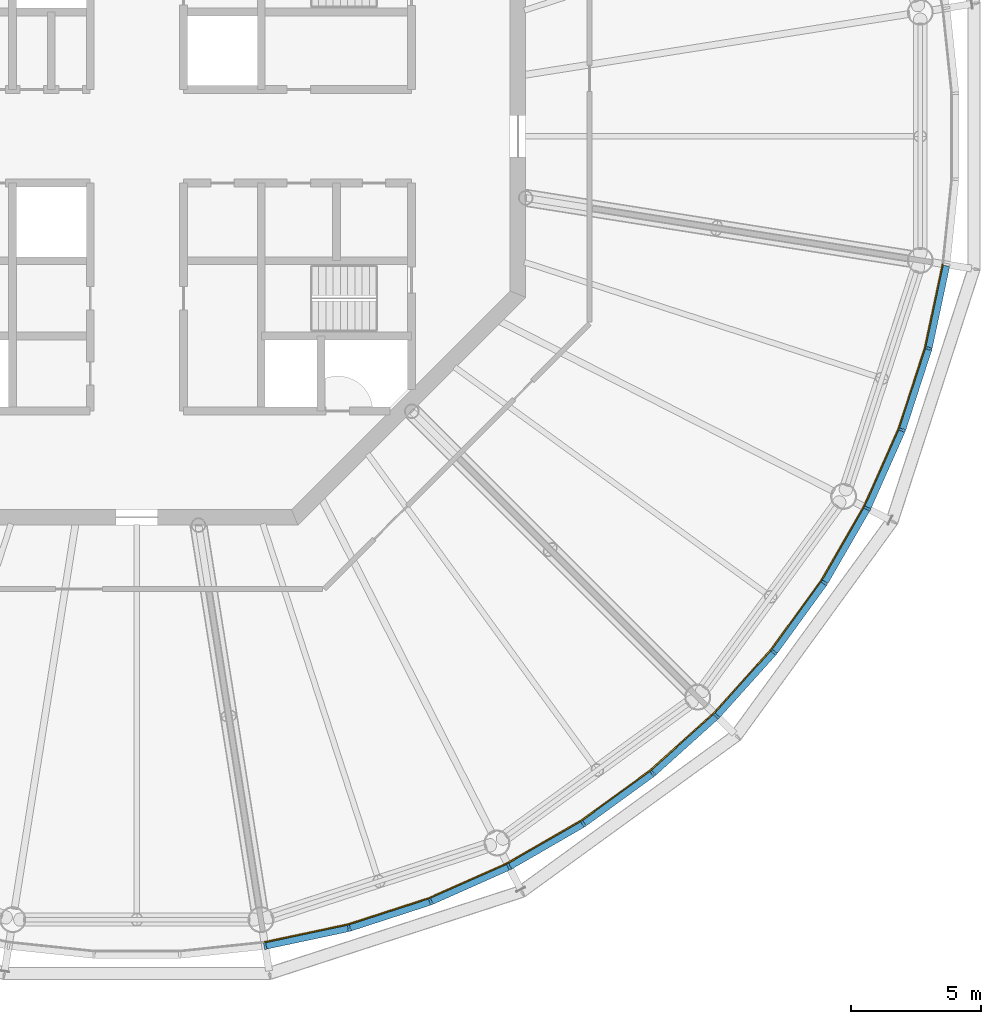
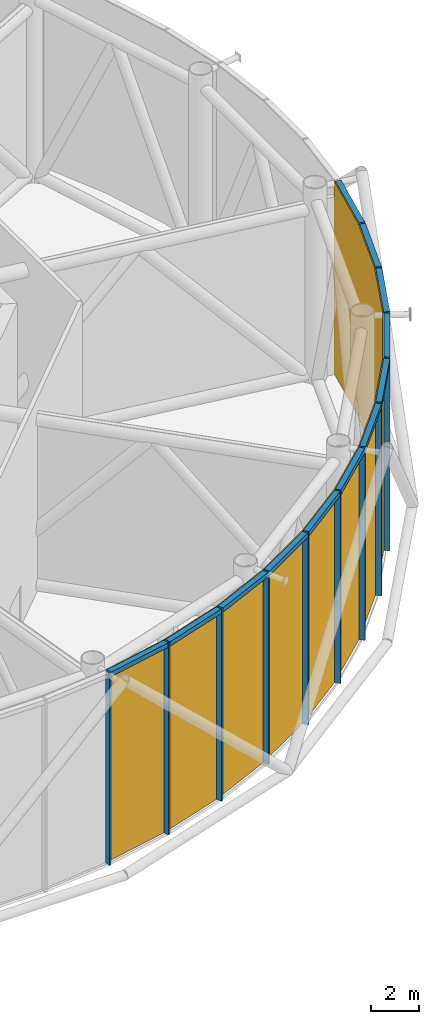
# One storey, part 19 of 23: 24 members, 4 curtain walls.
"""IFC4 building model written with IfcOpenShell, lengths in metres."""

import ifcopenshell
import ifcopenshell.guid

model = None  # the IFC model being written
_history = None  # IfcOwnerHistory: only IFC2X3 demands one
_inside = {}  # id of a spatial element -> (the spatial element, [elements in it])
_under = {}  # id of a project, library or spatial element -> (it, [spatial elements below it])
_declared = {}  # id of a project -> (the project, [libraries it declares])
_typed = {}  # id of a type object -> (the type object, [elements of that type])
_made_of = {}  # id of a material, layer set ... -> (it, [elements and type objects made of it])


def new_model(schema):
    """Start an empty IFC model of exactly this schema.

    Asked for "IFC4X3", IfcOpenShell would pick the latest addendum, in which some entities
    have other attributes; the version numbers below select the first issue.
    IFC2X3 requires an IfcOwnerHistory on every rooted entity: one is made here for all.
    """
    global model, _history
    if schema == "IFC4X3":
        model = ifcopenshell.file(schema_version=(4, 3, 0, 0))
    else:
        model = ifcopenshell.file(schema=schema)
    _inside.clear()
    _under.clear()
    _declared.clear()
    _typed.clear()
    _made_of.clear()
    _history = None
    if model.schema == "IFC2X3":
        org = make("IfcOrganization", Name="unknown")
        user = make(
            "IfcPersonAndOrganization",
            ThePerson=make("IfcPerson", FamilyName="unknown"),
            TheOrganization=org,
        )
        app = make(
            "IfcApplication",
            ApplicationDeveloper=org,
            Version="unknown",
            ApplicationFullName="unknown",
            ApplicationIdentifier="unknown",
        )
        _history = make(
            "IfcOwnerHistory",
            OwningUser=user,
            OwningApplication=app,
            ChangeAction="ADDED",
            CreationDate=0,
        )
    return model


def make(cls, **values):
    """One entity of the class cls with the attributes given. An attribute that is None is left unset."""
    return model.create_entity(
        cls, **{name: value for name, value in values.items() if value is not None}
    )


def rooted(cls, **values):
    """An entity with a GlobalId (a new one), such as an element, a storey or a relation."""
    return make(cls, GlobalId=ifcopenshell.guid.new(), OwnerHistory=_history, **values)


def si_unit(unit_type, name, prefix=None):
    """IfcSIUnit, for example si_unit("LENGTHUNIT", "METRE", prefix="MILLI")."""
    return make("IfcSIUnit", UnitType=unit_type, Prefix=prefix, Name=name)


def assignment(units):
    """IfcUnitAssignment: the units of a project."""
    return None if units is None else make("IfcUnitAssignment", Units=units)


def point(xyz):
    """IfcCartesianPoint."""
    return None if xyz is None else make("IfcCartesianPoint", Coordinates=xyz)


def direction(xyz):
    """IfcDirection."""
    return None if xyz is None else make("IfcDirection", DirectionRatios=xyz)


def frame(location, z_axis=None, x_axis=None):
    """IfcAxis2Placement3D, a coordinate frame: its origin and axes. An axis left out is left unset."""
    return make(
        "IfcAxis2Placement3D",
        Location=point(location),
        Axis=direction(z_axis),
        RefDirection=direction(x_axis),
    )


def frame_2d(location, x_axis=None):
    """IfcAxis2Placement2D, a coordinate frame in the plane: its origin and x axis."""
    return make(
        "IfcAxis2Placement2D", Location=point(location), RefDirection=direction(x_axis)
    )


def origin():
    """The frame at (0, 0, 0) with its axes left unset."""
    return frame((0.0, 0.0, 0.0))


def origin_2d():
    """The frame at (0, 0) in the plane with its x axis left unset."""
    return frame_2d((0.0, 0.0))


def place(relative_to, where):
    """IfcLocalPlacement: puts the frame where relative to a parent placement (None: the world)."""
    return make(
        "IfcLocalPlacement", PlacementRelTo=relative_to, RelativePlacement=where
    )


def context(
    kind, dimensions, precision=None, world=None, true_north=None, identifier=None
):
    """IfcGeometricRepresentationContext, for example the 3D "Model" context."""
    return make(
        "IfcGeometricRepresentationContext",
        ContextIdentifier=identifier,
        ContextType=kind,
        CoordinateSpaceDimension=dimensions,
        Precision=precision,
        WorldCoordinateSystem=world,
        TrueNorth=true_north,
    )


def subcontext(parent, identifier, kind, view, scale=None):
    """IfcGeometricRepresentationSubContext, for example "Body" below "Model"."""
    return make(
        "IfcGeometricRepresentationSubContext",
        ContextIdentifier=identifier,
        ContextType=kind,
        ParentContext=parent,
        TargetScale=scale,
        TargetView=view,
    )


def project(units=None, contexts=None):
    """IfcProject with its units and contexts."""
    return rooted(
        "IfcProject",
        Name="project",
        RepresentationContexts=contexts,
        UnitsInContext=assignment(units),
    )


def spatial(cls, under=None, at=None, **own):
    """A site, building, storey or space (cls), placed at a placement, below another one or the project."""
    s = rooted(cls, ObjectPlacement=at, **own)
    if under is not None:
        _under.setdefault(under.id(), (under, []))[1].append(s)
    return s


def polyline(points):
    """IfcPolyline through the points."""
    return make("IfcPolyline", Points=[point(p) for p in points])


def profile(cls, at=None, kind="AREA", **sizes):
    """A parametric profile (cls). Its sizes go by their IFC names, for example OverallWidth=200.0."""
    return make(cls, ProfileType=kind, Position=at, **sizes)


def rectangle(**sizes):
    """IfcRectangleProfileDef."""
    return profile("IfcRectangleProfileDef", **sizes)


def outline(outer, holes=None, kind="AREA"):
    """IfcArbitraryClosedProfileDef: a profile drawn as a closed curve; with holes, ...WithVoids."""
    if holes is None:
        return make("IfcArbitraryClosedProfileDef", ProfileType=kind, OuterCurve=outer)
    return make(
        "IfcArbitraryProfileDefWithVoids",
        ProfileType=kind,
        OuterCurve=outer,
        InnerCurves=holes,
    )


def extrude(swept, where, along, depth):
    """IfcExtrudedAreaSolid: the profile swept, set in the frame where, extruded along a direction by depth."""
    return make(
        "IfcExtrudedAreaSolid",
        SweptArea=swept,
        Position=where,
        ExtrudedDirection=direction(along),
        Depth=depth,
    )


def shape(context_of_items, identifier, shape_type, items):
    """IfcShapeRepresentation: the items that make up one representation, for example the "Body"."""
    return make(
        "IfcShapeRepresentation",
        ContextOfItems=context_of_items,
        RepresentationIdentifier=identifier,
        RepresentationType=shape_type,
        Items=items,
    )


def material(Name=None, Category=None):
    """IfcMaterial."""
    return make("IfcMaterial", Name=Name, Category=Category)


def layer(
    of_material, thickness, ventilated=None, Name=None, Category=None, Priority=None
):
    """IfcMaterialLayer: one layer of a wall or slab, of a material (None: an air gap)."""
    return make(
        "IfcMaterialLayer",
        Material=of_material,
        LayerThickness=thickness,
        IsVentilated=ventilated,
        Name=Name,
        Category=Category,
        Priority=Priority,
    )


def layer_set(layers, Name=None):
    """IfcMaterialLayerSet."""
    return make("IfcMaterialLayerSet", MaterialLayers=layers, LayerSetName=Name)


def material_profile(
    of_material, cross_section, Name=None, Category=None, Priority=None
):
    """IfcMaterialProfile: a cross section and its material."""
    return make(
        "IfcMaterialProfile",
        Name=Name,
        Material=of_material,
        Profile=cross_section,
        Priority=Priority,
        Category=Category,
    )


def profile_set(profiles, Name=None, composite=None):
    """IfcMaterialProfileSet."""
    return make(
        "IfcMaterialProfileSet",
        Name=Name,
        MaterialProfiles=profiles,
        CompositeProfile=composite,
    )


def made_of(thing, what):
    """Note that an element or type object is made of a material, layer set ...; save() writes the relation."""
    if what is not None:
        _made_of.setdefault(what.id(), (what, []))[1].append(thing)
    return thing


def type_object(cls, material=None, **own):
    """A type object (cls), such as IfcWallType, which elements share."""
    return made_of(rooted(cls, **own), material)


def element(
    cls,
    number,
    at=None,
    inside=None,
    cuts=None,
    type_object=None,
    material=None,
    context=None,
    identifier="Body",
    shape_type=None,
    held_by="IfcProductDefinitionShape",
    body=None,
    shapes=None,
    **own,
):
    """One element of the class cls, such as IfcWall. Its Tag is "e" and its number.

    at: its placement. inside: the storey or other place that contains it. cuts: it is an
    opening in that element (IfcRelVoidsElement). A single representation is given by context,
    identifier, shape_type and body (its items); several are given by shapes. held_by: the class
    of the entity that holds the representations. save() writes the other relations.
    """
    e = rooted(cls, Tag="e%d" % number, ObjectPlacement=at, **own)
    if body is not None:
        shapes = [shape(context, identifier, shape_type, body)]
    if shapes is not None:
        e.Representation = make(held_by, Representations=shapes)
    if inside is not None:
        _inside.setdefault(inside.id(), (inside, []))[1].append(e)
    if cuts is not None:
        rooted(
            "IfcRelVoidsElement", RelatingBuildingElement=cuts, RelatedOpeningElement=e
        )
    if type_object is not None:
        _typed.setdefault(type_object.id(), (type_object, []))[1].append(e)
    return made_of(e, material)


def aggregate(whole, parts):
    """IfcRelAggregates: a whole, such as a stair, and the parts it consists of."""
    return rooted("IfcRelAggregates", RelatingObject=whole, RelatedObjects=parts)


def save(model, path):
    """Write the relations noted so far, then the file.

    IfcRelAggregates (storeys below a building ...), IfcRelContainedInSpatialStructure (elements
    in a storey), IfcRelDefinesByType, IfcRelAssociatesMaterial and IfcRelDeclares: one each for
    every whole, place, type object, material and project.
    """
    for whole, parts in _under.values():
        aggregate(whole, parts)
    for where, things in _inside.values():
        rooted(
            "IfcRelContainedInSpatialStructure",
            RelatedElements=things,
            RelatingStructure=where,
        )
    for kind, things in _typed.values():
        rooted("IfcRelDefinesByType", RelatedObjects=things, RelatingType=kind)
    for what, things in _made_of.values():
        rooted("IfcRelAssociatesMaterial", RelatedObjects=things, RelatingMaterial=what)
    for by, libraries in _declared.values():
        rooted("IfcRelDeclares", RelatingContext=by, RelatedDefinitions=libraries)
    model.write(path)


model = new_model("IFC4")

# Units and contexts
model_context = context("Model", 3, precision=1e-05, world=origin(), true_north=direction((0.0, 1.0)))
body_context = subcontext(model_context, "Body", "Model", "MODEL_VIEW")
ifc_project = project(units=[si_unit("LENGTHUNIT", "METRE"), si_unit("AREAUNIT", "SQUARE_METRE"), si_unit("VOLUMEUNIT", "CUBIC_METRE"), si_unit("PLANEANGLEUNIT", "RADIAN"), si_unit("MASSUNIT", "GRAM", prefix="KILO")], contexts=[model_context])

# Member
ifc_material_1 = material(Name="Anodised aluminium", Category="aluminium")
ifc_material_profile_1 = material_profile(ifc_material_1, rectangle(XDim=0.0849609375, YDim=0.260009765625, at=origin_2d()), Name="Mullion 85 x 260 mm anodised aluminium")
ifc_profile_set_1 = profile_set([ifc_material_profile_1], Name="Anodised aluminium")
member_type_1 = type_object("IfcMemberType", Name="Mullion 85 x 260 mm anodised aluminium", PredefinedType="MULLION", material=ifc_profile_set_1)
site_placement = place(None, origin())
building_placement = place(site_placement, origin())
storey_placement = place(building_placement, frame((0.0, 0.0, 392.0)))
member_1_placement = place(storey_placement, frame((94.947998046875, 48.759521484375, 0.0), z_axis=(0.0, 0.0, 1.0), x_axis=(0.987688340595, 0.15643446504, 0.0)))
member_1 = element("IfcMember", 1, at=member_1_placement, type_object=member_type_1, Name="MULLION L91-45", PredefinedType="MULLION", context=body_context, shape_type="SweptSolid", body=[
    extrude(rectangle(XDim=0.0849609375, YDim=0.260009765625, at=origin_2d()), origin(), (0.0, 0.0, 1.0), 9.85009765625),
])

member_2_placement = place(storey_placement, frame((98.1865234375, 49.44775390625, 0.0), z_axis=(0.0, 0.0, 1.0), x_axis=(0.965925826289, 0.258819045103, 0.0)))
member_2 = element("IfcMember", 2, at=member_2_placement, type_object=member_type_1, Name="MULLION L91-46", PredefinedType="MULLION", context=body_context, shape_type="SweptSolid", body=[
    extrude(rectangle(XDim=0.0849609375, YDim=0.260009765625, at=origin_2d()), origin(), (0.0, 0.0, 1.0), 9.85009765625),
])

member_3_placement = place(storey_placement, frame((101.335205078125, 50.470947265625, 0.0), z_axis=(0.0, 0.0, 1.0), x_axis=(0.933580426497, 0.358367949545, 0.0)))
member_3 = element("IfcMember", 3, at=member_3_placement, type_object=member_type_1, Name="MULLION L91-47", PredefinedType="MULLION", context=body_context, shape_type="SweptSolid", body=[
    extrude(rectangle(XDim=0.0849609375, YDim=0.260009765625, at=origin_2d()), origin(), (0.0, 0.0, 1.0), 9.85009765625),
])

member_4_placement = place(storey_placement, frame((104.359619140625, 51.8173828125, 0.0), z_axis=(0.0, 0.0, 1.0), x_axis=(0.891006524188, 0.45399049974, 0.0)))
member_4 = element("IfcMember", 4, at=member_4_placement, type_object=member_type_1, Name="MULLION L91-48", PredefinedType="MULLION", context=body_context, shape_type="SweptSolid", body=[
    extrude(rectangle(XDim=0.0849609375, YDim=0.260009765625, at=origin_2d()), origin(), (0.0, 0.0, 1.0), 9.85009765625),
])

member_5_placement = place(storey_placement, frame((107.22705078125, 53.472900390625, 0.0), z_axis=(0.0, 0.0, 1.0), x_axis=(0.838670567945, 0.544639035015, 0.0)))
member_5 = element("IfcMember", 5, at=member_5_placement, type_object=member_type_1, Name="MULLION L91-49", PredefinedType="MULLION", context=body_context, shape_type="SweptSolid", body=[
    extrude(rectangle(XDim=0.0849609375, YDim=0.260009765625, at=origin_2d()), origin(), (0.0, 0.0, 1.0), 9.85009765625),
])

member_6_placement = place(storey_placement, frame((109.905517578125, 55.4189453125, 0.0), z_axis=(0.0, 0.0, 1.0), x_axis=(0.777145961457, 0.62932039105, 0.0)))
member_6 = element("IfcMember", 6, at=member_6_placement, type_object=member_type_1, Name="MULLION L91-50", PredefinedType="MULLION", context=body_context, shape_type="SweptSolid", body=[
    extrude(rectangle(XDim=0.0849609375, YDim=0.260009765625, at=origin_2d()), origin(), (0.0, 0.0, 1.0), 9.85009765625),
])

member_7_placement = place(storey_placement, frame((112.36572265625, 57.63427734375, 0.0), z_axis=(0.0, 0.0, 1.0), x_axis=(0.707106781187, 0.707106781187, 0.0)))
member_7 = element("IfcMember", 7, at=member_7_placement, type_object=member_type_1, Name="MULLION L91-51", PredefinedType="MULLION", context=body_context, shape_type="SweptSolid", body=[
    extrude(rectangle(XDim=0.0849609375, YDim=0.260009765625, at=origin_2d()), origin(), (0.0, 0.0, 1.0), 9.85009765625),
])

member_8_placement = place(storey_placement, frame((114.5810546875, 60.094482421875, 0.0), z_axis=(0.0, 0.0, 1.0), x_axis=(0.62932039105, 0.777145961457, 0.0)))
member_8 = element("IfcMember", 8, at=member_8_placement, type_object=member_type_1, Name="MULLION L91-52", PredefinedType="MULLION", context=body_context, shape_type="SweptSolid", body=[
    extrude(rectangle(XDim=0.0849609375, YDim=0.260009765625, at=origin_2d()), origin(), (0.0, 0.0, 1.0), 9.85009765625),
])

member_9_placement = place(storey_placement, frame((116.527099609375, 62.77294921875, 0.0), z_axis=(0.0, 0.0, 1.0), x_axis=(0.544639035015, 0.838670567945, 0.0)))
member_9 = element("IfcMember", 9, at=member_9_placement, type_object=member_type_1, Name="MULLION L91-53", PredefinedType="MULLION", context=body_context, shape_type="SweptSolid", body=[
    extrude(rectangle(XDim=0.0849609375, YDim=0.260009765625, at=origin_2d()), origin(), (0.0, 0.0, 1.0), 9.85009765625),
])

member_10_placement = place(storey_placement, frame((118.1826171875, 65.640380859375, 0.0), z_axis=(0.0, 0.0, 1.0), x_axis=(0.45399049974, 0.891006524188, 0.0)))
member_10 = element("IfcMember", 10, at=member_10_placement, type_object=member_type_1, Name="MULLION L91-54", PredefinedType="MULLION", context=body_context, shape_type="SweptSolid", body=[
    extrude(rectangle(XDim=0.0849609375, YDim=0.260009765625, at=origin_2d()), origin(), (0.0, 0.0, 1.0), 9.85009765625),
])

member_11_placement = place(storey_placement, frame((119.529052734375, 68.664794921875, 0.0), z_axis=(0.0, 0.0, 1.0), x_axis=(0.358367949545, 0.933580426497, 0.0)))
member_11 = element("IfcMember", 11, at=member_11_placement, type_object=member_type_1, Name="MULLION L91-55", PredefinedType="MULLION", context=body_context, shape_type="SweptSolid", body=[
    extrude(rectangle(XDim=0.0849609375, YDim=0.260009765625, at=origin_2d()), origin(), (0.0, 0.0, 1.0), 9.85009765625),
])

member_12_placement = place(storey_placement, frame((120.55224609375, 71.8134765625, 0.0), z_axis=(0.0, 0.0, 1.0), x_axis=(0.258819045103, 0.965925826289, 0.0)))
member_12 = element("IfcMember", 12, at=member_12_placement, type_object=member_type_1, Name="MULLION L91-56", PredefinedType="MULLION", context=body_context, shape_type="SweptSolid", body=[
    extrude(rectangle(XDim=0.0849609375, YDim=0.260009765625, at=origin_2d()), origin(), (0.0, 0.0, 1.0), 9.85009765625),
])

ifc_material_2 = material(Name="Anodised aluminium", Category="aluminium")
ifc_material_profile_2 = material_profile(ifc_material_2, rectangle(XDim=0.260009765625, YDim=0.22998046875, at=origin_2d()), Name="Transom 230 x 260 mm anodised aluminium")
ifc_profile_set_2 = profile_set([ifc_material_profile_2], Name="Anodised aluminium")
member_type_2 = type_object("IfcMemberType", Name="Transom 230 x 260 mm anodised aluminium", PredefinedType="USERDEFINED", material=ifc_profile_set_2)
member_13_placement = place(storey_placement, frame((94.996337890625, 48.76953125, 9.735107421875), z_axis=(0.978153634896, 0.207883300291, 0.0), x_axis=(-0.207883300291, 0.978153634896, 0.0)))
member_13 = element("IfcMember", 13, at=member_13_placement, type_object=member_type_2, Name="TRANSOM L91-45", ObjectType="TRANSOM", PredefinedType="USERDEFINED", context=body_context, shape_type="SweptSolid", body=[
    extrude(rectangle(XDim=0.260009765625, YDim=0.22998046875, at=origin_2d()), origin(), (0.0, 0.0, 1.0), 3.2119140625),
])

member_14_placement = place(storey_placement, frame((98.2333984375, 49.462890625, 9.735107421875), z_axis=(0.951050265207, 0.309036232585, 0.0), x_axis=(-0.309036232585, 0.951050265207, 0.0)))
member_14 = element("IfcMember", 14, at=member_14_placement, type_object=member_type_2, Name="TRANSOM L91-46", ObjectType="TRANSOM", PredefinedType="USERDEFINED", context=body_context, shape_type="SweptSolid", body=[
    extrude(rectangle(XDim=0.260009765625, YDim=0.22998046875, at=origin_2d()), origin(), (0.0, 0.0, 1.0), 3.212158203125),
])

member_15_placement = place(storey_placement, frame((101.38037109375, 50.49072265625, 9.735107421875), z_axis=(0.913522963478, 0.406787162038, 0.0), x_axis=(-0.406787162038, 0.913522963478, 0.0)))
member_15 = element("IfcMember", 15, at=member_15_placement, type_object=member_type_2, Name="TRANSOM L91-47", ObjectType="TRANSOM", PredefinedType="USERDEFINED", context=body_context, shape_type="SweptSolid", body=[
    extrude(rectangle(XDim=0.260009765625, YDim=0.22998046875, at=origin_2d()), origin(), (0.0, 0.0, 1.0), 3.212158203125),
])

member_16_placement = place(storey_placement, frame((104.402587890625, 51.842041015625, 9.735107421875), z_axis=(0.866036230703, 0.499981246758, 0.0), x_axis=(-0.499981246758, 0.866036230703, 0.0)))
member_16 = element("IfcMember", 16, at=member_16_placement, type_object=member_type_2, Name="TRANSOM L91-48", ObjectType="TRANSOM", PredefinedType="USERDEFINED", context=body_context, shape_type="SweptSolid", body=[
    extrude(rectangle(XDim=0.260009765625, YDim=0.22998046875, at=origin_2d()), origin(), (0.0, 0.0, 1.0), 3.2119140625),
])

member_17_placement = place(storey_placement, frame((107.266845703125, 53.501708984375, 9.735107421875), z_axis=(0.809054768394, 0.587733257303, 0.0), x_axis=(-0.587733257303, 0.809054768394, 0.0)))
member_17 = element("IfcMember", 17, at=member_17_placement, type_object=member_type_2, Name="TRANSOM L91-49", ObjectType="TRANSOM", PredefinedType="USERDEFINED", context=body_context, shape_type="SweptSolid", body=[
    extrude(rectangle(XDim=0.260009765625, YDim=0.22998046875, at=origin_2d()), origin(), (0.0, 0.0, 1.0), 3.212158203125),
])

member_18_placement = place(storey_placement, frame((109.942138671875, 55.45166015625, 9.735107421875), z_axis=(0.743150522558, 0.669124279055, 0.0), x_axis=(-0.669124279055, 0.743150522558, 0.0)))
member_18 = element("IfcMember", 18, at=member_18_placement, type_object=member_type_2, Name="TRANSOM L91-50", ObjectType="TRANSOM", PredefinedType="USERDEFINED", context=body_context, shape_type="SweptSolid", body=[
    extrude(rectangle(XDim=0.260009765625, YDim=0.22998046875, at=origin_2d()), origin(), (0.0, 0.0, 1.0), 3.212158203125),
])

member_19_placement = place(storey_placement, frame((112.39892578125, 57.670654296875, 9.735107421875), z_axis=(0.669124279055, 0.743150522558, 0.0), x_axis=(-0.743150522558, 0.669124279055, 0.0)))
member_19 = element("IfcMember", 19, at=member_19_placement, type_object=member_type_2, Name="TRANSOM L91-51", ObjectType="TRANSOM", PredefinedType="USERDEFINED", context=body_context, shape_type="SweptSolid", body=[
    extrude(rectangle(XDim=0.260009765625, YDim=0.22998046875, at=origin_2d()), origin(), (0.0, 0.0, 1.0), 3.212158203125),
])

member_20_placement = place(storey_placement, frame((114.6103515625, 60.13427734375, 9.735107421875), z_axis=(0.587733257303, 0.809054768394, 0.0), x_axis=(-0.809054768394, 0.587733257303, 0.0)))
member_20 = element("IfcMember", 20, at=member_20_placement, type_object=member_type_2, Name="TRANSOM L91-52", ObjectType="TRANSOM", PredefinedType="USERDEFINED", context=body_context, shape_type="SweptSolid", body=[
    extrude(rectangle(XDim=0.260009765625, YDim=0.22998046875, at=origin_2d()), origin(), (0.0, 0.0, 1.0), 3.212158203125),
])

member_21_placement = place(storey_placement, frame((116.552001953125, 62.815673828125, 9.735107421875), z_axis=(0.499981246758, 0.866036230703, 0.0), x_axis=(-0.866036230703, 0.499981246758, 0.0)))
member_21 = element("IfcMember", 21, at=member_21_placement, type_object=member_type_2, Name="TRANSOM L91-53", ObjectType="TRANSOM", PredefinedType="USERDEFINED", context=body_context, shape_type="SweptSolid", body=[
    extrude(rectangle(XDim=0.260009765625, YDim=0.22998046875, at=origin_2d()), origin(), (0.0, 0.0, 1.0), 3.2119140625),
])

member_22_placement = place(storey_placement, frame((118.20263671875, 65.685302734375, 9.735107421875), z_axis=(0.406787162038, 0.913522963478, 0.0), x_axis=(-0.913522963478, 0.406787162038, 0.0)))
member_22 = element("IfcMember", 22, at=member_22_placement, type_object=member_type_2, Name="TRANSOM L91-54", ObjectType="TRANSOM", PredefinedType="USERDEFINED", context=body_context, shape_type="SweptSolid", body=[
    extrude(rectangle(XDim=0.260009765625, YDim=0.22998046875, at=origin_2d()), origin(), (0.0, 0.0, 1.0), 3.212158203125),
])

member_23_placement = place(storey_placement, frame((119.54443359375, 68.711669921875, 9.735107421875), z_axis=(0.309036232585, 0.951050265207, 0.0), x_axis=(-0.951050265207, 0.309036232585, 0.0)))
member_23 = element("IfcMember", 23, at=member_23_placement, type_object=member_type_2, Name="TRANSOM L91-55", ObjectType="TRANSOM", PredefinedType="USERDEFINED", context=body_context, shape_type="SweptSolid", body=[
    extrude(rectangle(XDim=0.260009765625, YDim=0.22998046875, at=origin_2d()), origin(), (0.0, 0.0, 1.0), 3.212158203125),
])

member_24_placement = place(storey_placement, frame((120.562744140625, 71.86181640625, 9.735107421875), z_axis=(0.207883300291, 0.978153634896, 0.0), x_axis=(-0.978153634896, 0.207883300291, 0.0)))
member_24 = element("IfcMember", 24, at=member_24_placement, type_object=member_type_2, Name="TRANSOM L91-56", ObjectType="TRANSOM", PredefinedType="USERDEFINED", context=body_context, shape_type="SweptSolid", body=[
    extrude(rectangle(XDim=0.260009765625, YDim=0.22998046875, at=origin_2d()), origin(), (0.0, 0.0, 1.0), 3.2119140625),
])

# Site, building, storey
site = spatial("IfcSite", under=ifc_project, at=site_placement, CompositionType="ELEMENT")
building = spatial("IfcBuilding", under=site, at=building_placement, Name="Entoto Ring Tower", CompositionType="ELEMENT")
storey = spatial("IfcBuildingStorey", under=building, at=storey_placement, Name="L91", CompositionType="ELEMENT", Elevation=392.0)

# Curtain wall
ifc_material_3 = material(Name="Clear low-iron glass", Category="glass")
ifc_layer = layer(ifc_material_3, 0.048095703125)
ifc_layer_set = layer_set([ifc_layer], Name="Clear low-iron glass")
curtain_wall_type = type_object("IfcCurtainWallType", Name="Curtain wall system CW9 glazing 48 mm", PredefinedType="NOTDEFINED", material=ifc_layer_set)
curtain_wall_1_placement = place(storey_placement, origin())
curtain_wall_1 = element("IfcCurtainWall", 25, at=curtain_wall_1_placement, inside=storey, type_object=curtain_wall_type, Name="CW9 L91-16", PredefinedType="NOTDEFINED", context=body_context, shape_type="SweptSolid", body=[
    extrude(outline(polyline([(94.927734375, 48.8876953125), (98.15283203125, 49.5732421875), (101.28857421875, 50.59228515625), (104.30078125, 51.933349609375), (104.27880859375, 51.97607421875), (101.271484375, 50.63720703125), (98.140380859375, 49.619873046875), (94.920166015625, 48.935302734375), (94.927734375, 48.8876953125)])), origin(), (0.0, 0.0, 1.0), 9.85009765625),
])

aggregate(curtain_wall_1, [member_1, member_2, member_3, member_13, member_14, member_15])

curtain_wall_2_placement = place(storey_placement, origin())
curtain_wall_2 = element("IfcCurtainWall", 26, at=curtain_wall_2_placement, inside=storey, type_object=curtain_wall_type, Name="CW9 L91-17", PredefinedType="NOTDEFINED", context=body_context, shape_type="SweptSolid", body=[
    extrude(outline(polyline([(104.30078125, 51.933349609375), (107.15625, 53.581787109375), (109.823486328125, 55.52001953125), (112.27392578125, 57.72607421875), (112.239990234375, 57.760009765625), (109.79345703125, 55.557373046875), (107.1298828125, 53.6220703125), (104.27880859375, 51.97607421875), (104.30078125, 51.933349609375)])), origin(), (0.0, 0.0, 1.0), 9.85009765625),
])

aggregate(curtain_wall_2, [member_4, member_5, member_6, member_16, member_17, member_18])

curtain_wall_3_placement = place(storey_placement, origin())
curtain_wall_3 = element("IfcCurtainWall", 27, at=curtain_wall_3_placement, inside=storey, type_object=curtain_wall_type, Name="CW9 L91-18", PredefinedType="NOTDEFINED", context=body_context, shape_type="SweptSolid", body=[
    extrude(outline(polyline([(112.27392578125, 57.72607421875), (114.47998046875, 60.176513671875), (116.418212890625, 62.84375), (118.066650390625, 65.69921875), (118.02392578125, 65.72119140625), (116.3779296875, 62.8701171875), (114.442626953125, 60.20654296875), (112.239990234375, 57.760009765625), (112.27392578125, 57.72607421875)])), origin(), (0.0, 0.0, 1.0), 9.85009765625),
])

aggregate(curtain_wall_3, [member_7, member_8, member_9, member_19, member_20, member_21])

curtain_wall_4_placement = place(storey_placement, origin())
curtain_wall_4 = element("IfcCurtainWall", 28, at=curtain_wall_4_placement, inside=storey, type_object=curtain_wall_type, Name="CW9 L91-19", PredefinedType="NOTDEFINED", context=body_context, shape_type="SweptSolid", body=[
    extrude(outline(polyline([(118.066650390625, 65.69921875), (119.40771484375, 68.71142578125), (120.4267578125, 71.84716796875), (121.1123046875, 75.072265625), (121.064697265625, 75.079833984375), (120.380126953125, 71.859619140625), (119.36279296875, 68.728515625), (118.02392578125, 65.72119140625), (118.066650390625, 65.69921875)])), origin(), (0.0, 0.0, 1.0), 9.85009765625),
])

aggregate(curtain_wall_4, [member_10, member_11, member_12, member_22, member_23, member_24])

save(model, "model.ifc")
